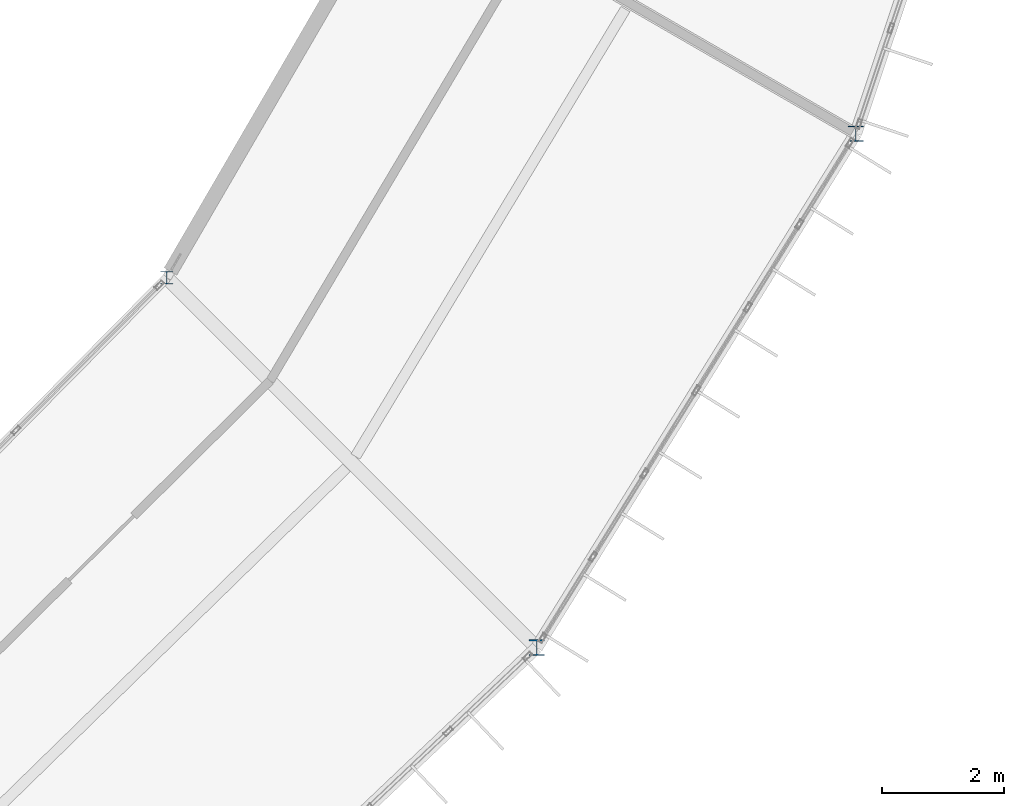
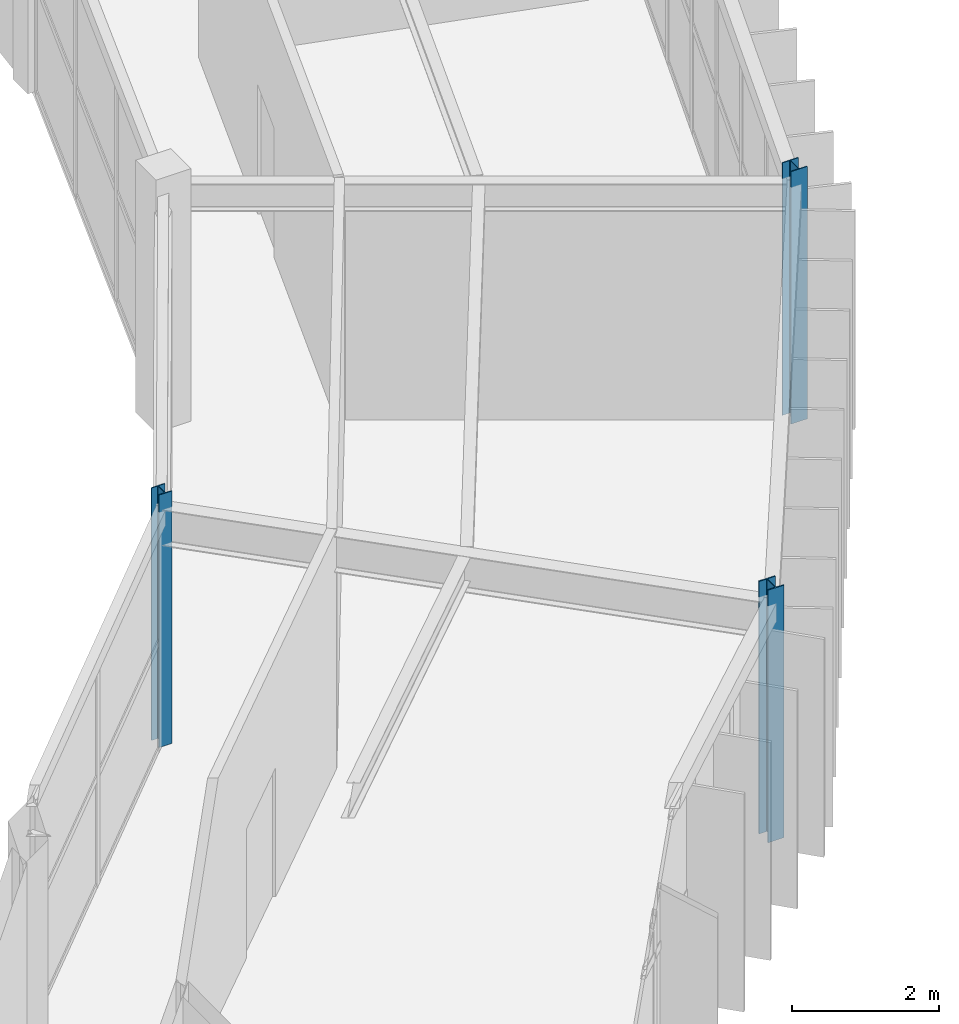
# One storey, part 9 of 157: 3 columns.
"""IFC4 building model written with IfcOpenShell, lengths in metres."""

from ifc_helpers import new_model, si_unit, direction, frame, origin, origin_2d, place, context, subcontext, project, spatial, i_section, extrude, material, material_profile, profile_set, type_object, element, save


model = new_model("IFC4")

# Units and contexts
model_context = context("Model", 3, precision=1e-05, world=origin(), true_north=direction((0.0, 1.0)))
body_context = subcontext(model_context, "Body", "Model", "MODEL_VIEW")
ifc_project = project(units=[si_unit("LENGTHUNIT", "METRE"), si_unit("AREAUNIT", "SQUARE_METRE"), si_unit("VOLUMEUNIT", "CUBIC_METRE"), si_unit("PLANEANGLEUNIT", "RADIAN"), si_unit("MASSUNIT", "GRAM", prefix="KILO")], contexts=[model_context])

# Site, building, storey
site_placement = place(None, origin())
site = spatial("IfcSite", under=ifc_project, at=site_placement, CompositionType="ELEMENT")
building_placement = place(site_placement, origin())
building = spatial("IfcBuilding", under=site, at=building_placement, Name="Karori Crest Natural Sciences Institute", CompositionType="ELEMENT")
storey_placement = place(building_placement, frame((0.0, 0.0, 13.300048828125)))
storey = spatial("IfcBuildingStorey", under=building, at=storey_placement, Name="L03", CompositionType="ELEMENT", Elevation=13.300048828125)

# Columns
ifc_material = material(Name="Structural steel AS/NZS 3679.1 Grade 350", Category="steel")
ifc_material_profile_1 = material_profile(ifc_material, i_section(OverallWidth=0.256103515625, OverallDepth=0.260009765625, WebThickness=0.010498046875, FlangeThickness=0.017333984375, FilletRadius=0.013916015625, at=origin_2d()), Name="250UC89.5")
ifc_profile_set_1 = profile_set([ifc_material_profile_1], Name="Structural steel AS/NZS 3679.1 Grade 350")
column_type_1 = type_object("IfcColumnType", Name="CT-06", PredefinedType="COLUMN", material=ifc_profile_set_1)
column_1_placement = place(storey_placement, frame((89.734619140625, 21.050048828125, 0.0), z_axis=(0.0, 0.0, 1.0), x_axis=(1.0, 0.0, 0.0)))
element("IfcColumn", 1, at=column_1_placement, inside=storey, type_object=column_type_1, Name="Column C-0353", PredefinedType="COLUMN", context=body_context, shape_type="SweptSolid", body=[
    extrude(i_section(OverallWidth=0.256103515625, OverallDepth=0.260009765625, WebThickness=0.010498046875, FlangeThickness=0.017333984375, FilletRadius=0.013916015625, at=origin_2d()), origin(), (0.0, 0.0, 1.0), 4.199951171875),
])
ifc_material_profile_2 = material_profile(ifc_material, i_section(OverallWidth=0.25390625, OverallDepth=0.25390625, WebThickness=0.008544921875, FlangeThickness=0.01416015625, FilletRadius=0.013916015625, at=origin_2d()), Name="250UC72.9")
ifc_profile_set_2 = profile_set([ifc_material_profile_2], Name="Structural steel AS/NZS 3679.1 Grade 350")
column_type_2 = type_object("IfcColumnType", Name="CT-07", PredefinedType="COLUMN", material=ifc_profile_set_2)
column_2_placement = place(storey_placement, frame((94.978759765625, 29.5, 0.0), z_axis=(0.0, 0.0, 1.0), x_axis=(1.0, 0.0, 0.0)))
element("IfcColumn", 2, at=column_2_placement, inside=storey, type_object=column_type_2, Name="Column C-0369", PredefinedType="COLUMN", context=body_context, shape_type="SweptSolid", body=[
    extrude(i_section(OverallWidth=0.25390625, OverallDepth=0.25390625, WebThickness=0.008544921875, FlangeThickness=0.01416015625, FilletRadius=0.013916015625, at=origin_2d()), origin(), (0.0, 0.0, 1.0), 4.199951171875),
])
ifc_material_profile_3 = material_profile(ifc_material, i_section(OverallWidth=0.205078125, OverallDepth=0.2099609375, WebThickness=0.00927734375, FlangeThickness=0.01416015625, FilletRadius=0.010986328125, at=origin_2d()), Name="200UC59.5")
ifc_profile_set_3 = profile_set([ifc_material_profile_3], Name="Structural steel AS/NZS 3679.1 Grade 350")
column_type_3 = type_object("IfcColumnType", Name="CT-08", PredefinedType="COLUMN", material=ifc_profile_set_3)
column_3_placement = place(storey_placement, frame((83.6533203125, 27.131103515625, 0.0), z_axis=(0.0, 0.0, 1.0), x_axis=(1.0, 0.0, 0.0)))
element("IfcColumn", 3, at=column_3_placement, inside=storey, type_object=column_type_3, Name="Column C-0354", PredefinedType="COLUMN", context=body_context, shape_type="SweptSolid", body=[
    extrude(i_section(OverallWidth=0.205078125, OverallDepth=0.2099609375, WebThickness=0.00927734375, FlangeThickness=0.01416015625, FilletRadius=0.010986328125, at=origin_2d()), origin(), (0.0, 0.0, 1.0), 4.199951171875),
])

save(model, "model.ifc")
